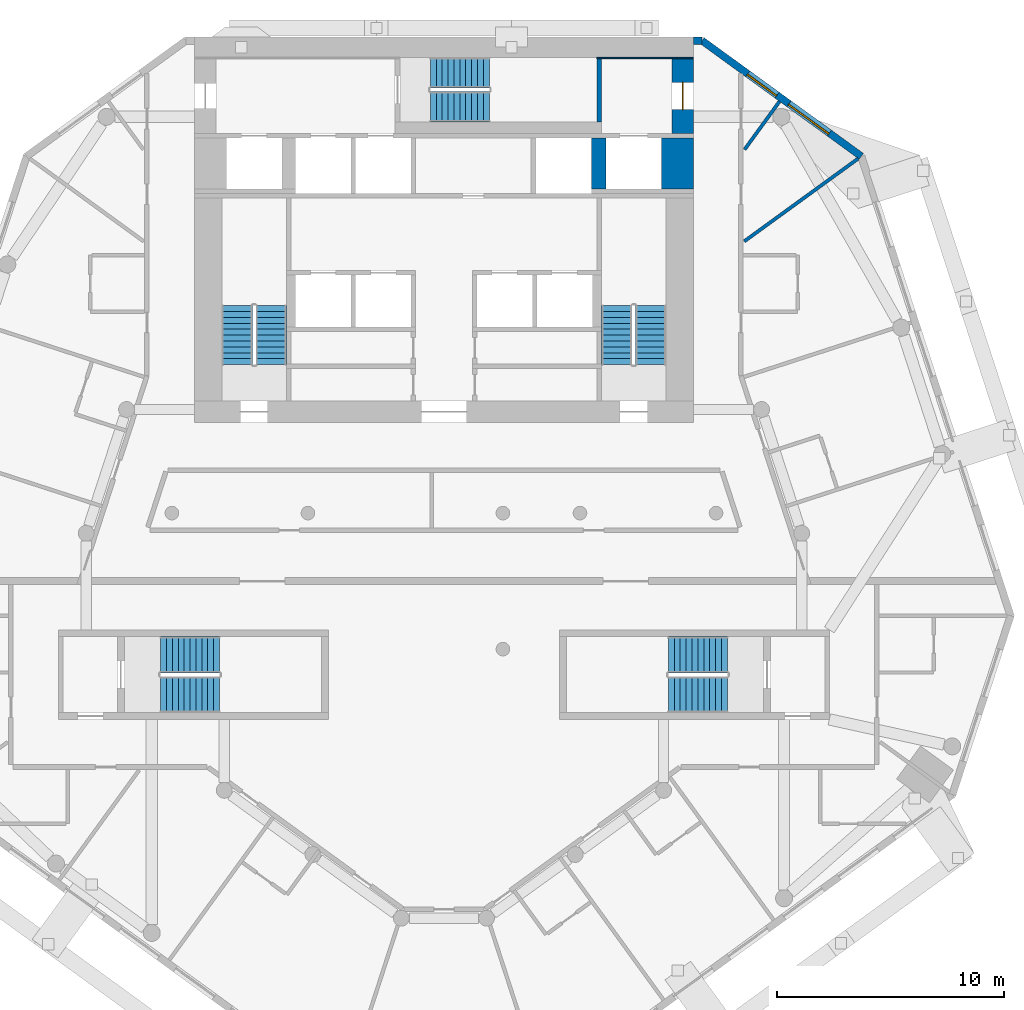
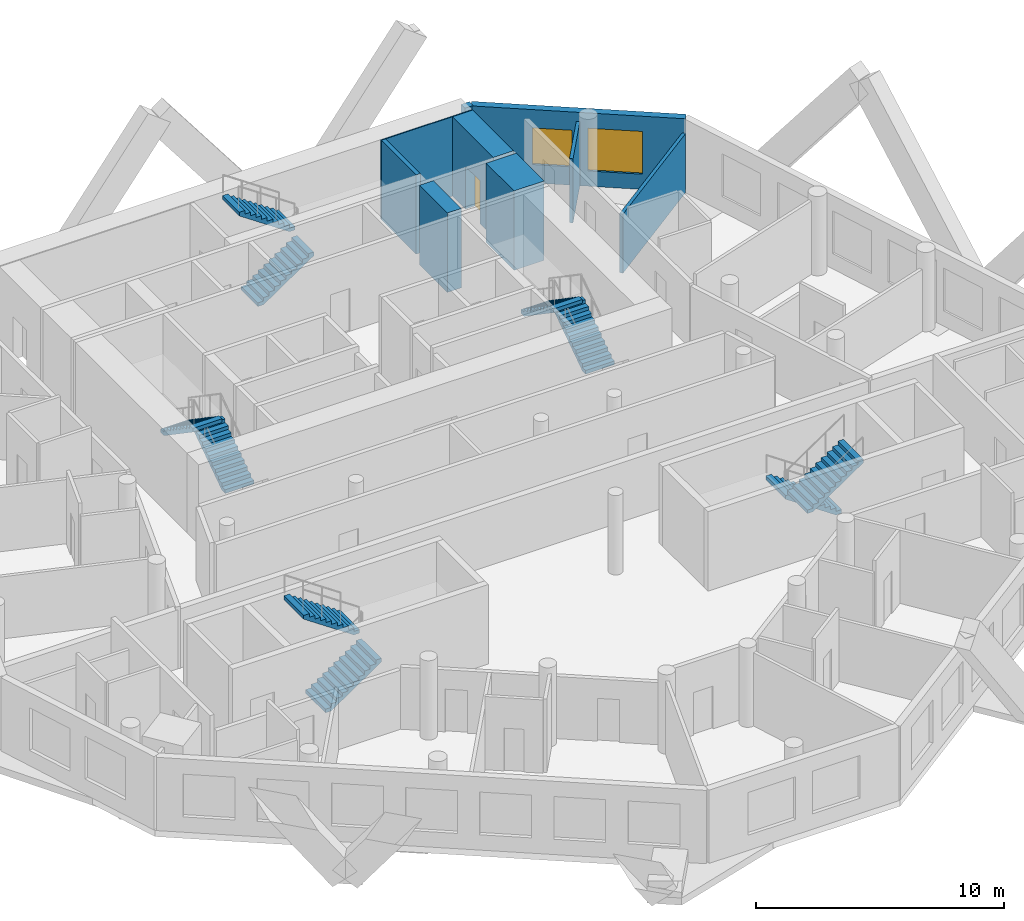
# One storey, part 8 of 10: 10 stair flights, 9 walls, 2 windows, 1 door, 3 openings, 5 elements without a shape of their own.
"""IFC4 building model written with IfcOpenShell, lengths in metres."""

from ifc_helpers import new_model, si_unit, direction, frame, frame_2d, origin, place, context, subcontext, project, spatial, polyline, rectangle, outline, extrude, material, layer, layer_set, type_object, element, fill, aggregate, save


model = new_model("IFC4")

# Units and contexts
model_context = context("Model", 3, precision=1e-05, world=origin(), true_north=direction((0.0, 1.0)))
body_context = subcontext(model_context, "Body", "Model", "MODEL_VIEW")
ifc_project = project(units=[si_unit("LENGTHUNIT", "METRE"), si_unit("AREAUNIT", "SQUARE_METRE"), si_unit("VOLUMEUNIT", "CUBIC_METRE"), si_unit("PLANEANGLEUNIT", "RADIAN"), si_unit("MASSUNIT", "GRAM", prefix="KILO")], contexts=[model_context])

# Site, building, storey
site_placement = place(None, origin())
site = spatial("IfcSite", under=ifc_project, at=site_placement, CompositionType="ELEMENT")
building_placement = place(site_placement, origin())
building = spatial("IfcBuilding", under=site, at=building_placement, Name="White Candle Pilgrim Tower", CompositionType="ELEMENT")
storey_placement = place(building_placement, frame((0.0, 0.0, 183.699951171875)))
storey = spatial("IfcBuildingStorey", under=building, at=storey_placement, Name="L42", CompositionType="ELEMENT", Elevation=183.699951171875)

# Wall
ifc_material_1 = material(Name="Concrete C60/75", Category="concrete")
ifc_layer_1 = layer(ifc_material_1, 1.39990234375)
ifc_layer_set_1 = layer_set([ifc_layer_1], Name="Core wall 1400 mm Concrete C60/75")
wall_type_1 = type_object("IfcWallType", Name="Core wall 1400 mm Concrete C60/75", PredefinedType="SHEAR", material=ifc_layer_set_1)
wall_1_placement = place(storey_placement, frame((80.300048828125, 81.300048828125, 0.0), z_axis=(0.0, 0.0, 1.0), x_axis=(0.0, 1.0, 0.0)))
element("IfcWall", 1, at=wall_1_placement, inside=storey, type_object=wall_type_1, Name="WL-L42-C45", PredefinedType="SHEAR", context=body_context, shape_type="SweptSolid", body=[
    extrude(rectangle(XDim=2.25, YDim=1.39990234375, at=frame_2d((1.125, 0.0))), origin(), (0.0, 0.0, 1.0), 3.900146484375),
])

# Wall, opening, door
ifc_layer_2 = layer(ifc_material_1, 0.949951171875)
ifc_layer_set_2 = layer_set([ifc_layer_2], Name="Core wall 950 mm Concrete C60/75")
wall_type_2 = type_object("IfcWallType", Name="Core wall 950 mm Concrete C60/75", PredefinedType="SHEAR", material=ifc_layer_set_2)
wall_2_placement = place(storey_placement, frame((80.52490234375, 83.75, 0.0), z_axis=(0.0, 0.0, 1.0), x_axis=(0.0, 1.0, 0.0)))
wall_2 = element("IfcWall", 2, at=wall_2_placement, inside=storey, type_object=wall_type_2, Name="WL-L42-C49", PredefinedType="SHEAR", context=body_context, shape_type="SweptSolid", body=[
    extrude(rectangle(XDim=3.300048828125, YDim=0.949951171875, at=frame_2d((1.64990234375, 0.0))), origin(), (0.0, 0.0, 1.0), 3.900146484375),
])
opening_1_placement = place(wall_2_placement, frame((1.050048828125, 0.0, 0.0)))
opening_1 = element("IfcOpeningElement", 3, at=opening_1_placement, cuts=wall_2, Name="Opening T13-010", PredefinedType="OPENING", context=body_context, shape_type="SweptSolid", body=[
    extrude(rectangle(XDim=1.199951171875, YDim=2.10009765625, at=frame_2d((0.60009765625, 1.050048828125))), frame((0.0, 0.48486328125, 0.0), z_axis=(0.0, -1.0, 0.0), x_axis=(1.0, 0.0, 0.0)), (0.0, 0.0, 1.0), 0.969970703125),
])
ifc_material_2 = material(Name="Steel door leaf", Category="steel")
door_type = type_object("IfcDoorType", Name="Fire door 1200 x 2100 EI 30", OperationType="NOTDEFINED", PredefinedType="DOOR", material=ifc_material_2)
door_placement = place(opening_1_placement, origin())
door = element("IfcDoor", 4, at=door_placement, inside=storey, type_object=door_type, Name="Door T13-010", OperationType="SINGLE_SWING_RIGHT", OverallHeight=2.10009765625, OverallWidth=1.199951171875, PredefinedType="DOOR", context=body_context, shape_type="SweptSolid", body=[
    extrude(rectangle(XDim=1.199951171875, YDim=2.10009765625, at=frame_2d((0.60009765625, 1.050048828125))), frame((0.0, 0.02490234375, 0.0), z_axis=(0.0, -1.0, 0.0), x_axis=(1.0, 0.0, 0.0)), (0.0, 0.0, 1.0), 0.050048828125),
])
fill(opening_1, door)

# Wall, openings, windows
ifc_material_3 = material(Name="Precast concrete C40/50", Category="concrete")
ifc_layer_3 = layer(ifc_material_3, 0.320068359375)
ifc_layer_set_3 = layer_set([ifc_layer_3], Name="Facade wall EW1 precast concrete C40/50 pier wall with timber-lined reveals")
wall_type_3 = type_object("IfcWallType", Name="Facade wall EW1 precast concrete C40/50 pier wall with timber-lined reveals", PredefinedType="SOLIDWALL", material=ifc_layer_set_3)
wall_3_placement = place(storey_placement, frame((88.408203125, 82.7373046875, 0.0), z_axis=(0.0, 0.0, 1.0), x_axis=(-0.809009624381, 0.587795396085, 0.0)))
wall_3 = element("IfcWall", 5, at=wall_3_placement, inside=storey, type_object=wall_type_3, Name="Facade wall L42 NE chamfer", PredefinedType="SOLIDWALL", context=body_context, shape_type="SweptSolid", body=[
    extrude(rectangle(XDim=8.68115234375, YDim=0.320068359375, at=frame_2d((4.340576171875, 0.0))), origin(), (0.0, 0.0, 1.0), 3.60009765625),
])
opening_2_placement = place(wall_3_placement, frame((1.740478515625, 0.0, 0.75)))
opening_2 = element("IfcOpeningElement", 6, at=opening_2_placement, cuts=wall_3, Name="Opening W4", PredefinedType="OPENING", context=body_context, shape_type="SweptSolid", body=[
    extrude(rectangle(XDim=2.199951171875, YDim=2.10009765625, at=frame_2d((1.10009765625, 1.050048828125))), frame((0.0, 0.169921875, 0.0), z_axis=(0.0, -1.0, 0.0), x_axis=(1.0, 0.0, 0.0)), (0.0, 0.0, 1.0), 0.340087890625),
])
opening_3_placement = place(wall_3_placement, frame((4.590576171875, 0.0, 0.89990234375)))
opening_3 = element("IfcOpeningElement", 7, at=opening_3_placement, cuts=wall_3, Name="Opening W2", PredefinedType="OPENING", context=body_context, shape_type="SweptSolid", body=[
    extrude(rectangle(XDim=1.60009765625, YDim=1.800048828125, at=frame_2d((0.800048828125, 0.89990234375))), frame((0.0, 0.169921875, 0.0), z_axis=(0.0, -1.0, 0.0), x_axis=(1.0, 0.0, 0.0)), (0.0, 0.0, 1.0), 0.340087890625),
])
ifc_material_4 = material(Name="Timber frame with triple glazing", Category="wood")
window_type_1 = type_object("IfcWindowType", Name="Window W2 1600x1800 timber frame triple glazing", PartitioningType="SINGLE_PANEL", PredefinedType="WINDOW", material=ifc_material_4)
window_1_placement = place(opening_3_placement, origin())
window_1 = element("IfcWindow", 8, at=window_1_placement, inside=storey, type_object=window_type_1, Name="Window W2 L42 NE chamfer 2", OverallHeight=1.800048828125, OverallWidth=1.60009765625, PartitioningType="SINGLE_PANEL", PredefinedType="WINDOW", context=body_context, shape_type="SweptSolid", body=[
    extrude(rectangle(XDim=1.60009765625, YDim=1.800048828125, at=frame_2d((0.800048828125, 0.89990234375))), frame((0.0, 0.070068359375, 0.0), z_axis=(0.0, -1.0, 0.0), x_axis=(1.0, 0.0, 0.0)), (0.0, 0.0, 1.0), 0.06005859375),
])
fill(opening_3, window_1)
window_type_2 = type_object("IfcWindowType", Name="Window W4 2200x2100 timber frame triple glazing", PartitioningType="SINGLE_PANEL", PredefinedType="WINDOW", material=ifc_material_4)
window_2_placement = place(opening_2_placement, origin())
window_2 = element("IfcWindow", 9, at=window_2_placement, inside=storey, type_object=window_type_2, Name="Window W4 L42 NE chamfer 1", OverallHeight=2.10009765625, OverallWidth=2.199951171875, PartitioningType="SINGLE_PANEL", PredefinedType="WINDOW", context=body_context, shape_type="SweptSolid", body=[
    extrude(rectangle(XDim=2.199951171875, YDim=2.10009765625, at=frame_2d((1.10009765625, 1.050048828125))), frame((0.0, 0.070068359375, 0.0), z_axis=(0.0, -1.0, 0.0), x_axis=(1.0, 0.0, 0.0)), (0.0, 0.0, 1.0), 0.06005859375),
])
fill(opening_2, window_2)

# Walls
wall_4_placement = place(storey_placement, frame((81.385009765625, 87.840087890625, 0.0), z_axis=(0.0, 0.0, 1.0), x_axis=(-1.0, 0.0, 0.0)))
element("IfcWall", 10, at=wall_4_placement, inside=storey, type_object=wall_type_3, Name="Facade wall L42 N", PredefinedType="SOLIDWALL", context=body_context, shape_type="SweptSolid", body=[
    extrude(rectangle(XDim=0.385009765625, YDim=0.320068359375, at=frame_2d((0.1923828125, 0.0))), origin(), (0.0, 0.0, 1.0), 3.60009765625),
])
ifc_material_5 = material(Name="Gypsum board on steel studs", Category="steel")
ifc_layer_4 = layer(ifc_material_5, 0.14990234375)
ifc_layer_set_4 = layer_set([ifc_layer_4], Name="Partition 150 mm EI 60")
wall_type_4 = type_object("IfcWallType", Name="Partition 150 mm EI 60", PredefinedType="PARTITIONING", material=ifc_layer_set_4)
wall_5_placement = place(storey_placement, frame((88.272216796875, 82.638427734375, 0.0), z_axis=(0.0, 0.0, 1.0), x_axis=(-0.809038352218, -0.58775585462, 0.0)))
element("IfcWall", 11, at=wall_5_placement, inside=storey, type_object=wall_type_4, Name="WL-L42-P024", PredefinedType="PARTITIONING", context=body_context, shape_type="SweptSolid", body=[
    extrude(rectangle(XDim=6.21484375, YDim=0.14990234375, at=frame_2d((3.107421875, 0.0))), origin(), (0.0, 0.0, 1.0), 2.900146484375),
])
wall_6_placement = place(storey_placement, frame((84.802490234375, 85.1591796875, 0.0), z_axis=(0.0, 0.0, 1.0), x_axis=(-0.587778694089, -0.809021759148, 0.0)))
element("IfcWall", 12, at=wall_6_placement, inside=storey, type_object=wall_type_4, Name="WL-L42-P058", PredefinedType="PARTITIONING", context=body_context, shape_type="SweptSolid", body=[
    extrude(rectangle(XDim=2.623046875, YDim=0.14990234375, at=frame_2d((1.3115234375, 0.0))), origin(), (0.0, 0.0, 1.0), 3.150146484375),
])
ifc_layer_5 = layer(ifc_material_1, 0.64990234375)
ifc_layer_set_5 = layer_set([ifc_layer_5], Name="Shaft wall 650 mm Concrete C60/75")
wall_type_5 = type_object("IfcWallType", Name="Shaft wall 650 mm Concrete C60/75", PredefinedType="SHEAR", material=ifc_layer_set_5)
wall_7_placement = place(storey_placement, frame((76.824951171875, 81.300048828125, 0.0), z_axis=(0.0, 0.0, 1.0), x_axis=(0.0, 1.0, 0.0)))
element("IfcWall", 13, at=wall_7_placement, inside=storey, type_object=wall_type_5, Name="WL-L42-C44", PredefinedType="SHEAR", context=body_context, shape_type="SweptSolid", body=[
    extrude(rectangle(XDim=2.25, YDim=0.64990234375, at=frame_2d((1.125, 0.0))), origin(), (0.0, 0.0, 1.0), 3.900146484375),
])
ifc_layer_6 = layer(ifc_material_1, 0.199951171875)
ifc_layer_set_6 = layer_set([ifc_layer_6], Name="Stair shaft wall 200 mm Concrete C60/75")
wall_type_6 = type_object("IfcWallType", Name="Stair shaft wall 200 mm Concrete C60/75", PredefinedType="SHEAR", material=ifc_layer_set_6)
wall_8_placement = place(storey_placement, frame((76.85009765625, 84.25, 0.0), z_axis=(0.0, 0.0, 1.0), x_axis=(0.0, 1.0, 0.0)))
element("IfcWall", 14, at=wall_8_placement, inside=storey, type_object=wall_type_6, Name="WL-L42-C51", PredefinedType="SHEAR", context=body_context, shape_type="SweptSolid", body=[
    extrude(rectangle(XDim=2.800048828125, YDim=0.199951171875, at=frame_2d((1.39990234375, 0.0))), origin(), (0.0, 0.0, 1.0), 3.900146484375),
])
ifc_layer_7 = layer(ifc_material_1, 0.050048828125)
ifc_layer_set_7 = layer_set([ifc_layer_7], Name="Stair shaft wall 50 mm Concrete C60/75")
wall_type_7 = type_object("IfcWallType", Name="Stair shaft wall 50 mm Concrete C60/75", PredefinedType="SHEAR", material=ifc_layer_set_7)
wall_9_placement = place(storey_placement, frame((76.75, 87.074951171875, 0.0), z_axis=(0.0, 0.0, 1.0), x_axis=(1.0, 0.0, 0.0)))
element("IfcWall", 15, at=wall_9_placement, inside=storey, type_object=wall_type_7, Name="WL-L42-C53", PredefinedType="SHEAR", context=body_context, shape_type="SweptSolid", body=[
    extrude(rectangle(XDim=4.25, YDim=0.050048828125, at=frame_2d((2.125, 0.0))), origin(), (0.0, 0.0, 1.0), 3.900146484375),
])

# Stair, stair flights
ifc_material_6 = material(Name="Concrete C40/50", Category="concrete")
stair_type_1 = type_object("IfcStairType", Name="Exit stair 1 flight width 1350 mm", PredefinedType="HALF_TURN_STAIR", material=ifc_material_6)
stair_1_placement = place(storey_placement, origin())
stair_1 = element("IfcStair", 16, at=stair_1_placement, inside=storey, type_object=stair_type_1, Name="L42 stair 1", PredefinedType="NOTDEFINED")
ifc_layer_8 = layer(ifc_material_6, 0.14990234375)
ifc_layer_set_8 = layer_set([ifc_layer_8], Name="Stair flight Concrete C40/50")
stair_flight_type = type_object("IfcStairFlightType", Name="Stair flight Concrete C40/50", PredefinedType="STRAIGHT", material=ifc_layer_set_8)
stair_flight_1_placement = place(storey_placement, frame((62.375, 73.550048828125, 0.0), z_axis=(0.0, 0.0, 1.0), x_axis=(0.0, 1.0, 0.0)))
stair_flight_1 = element("IfcStairFlight", 17, at=stair_flight_1_placement, type_object=stair_flight_type, Name="ST1 flight 1", NumberOfRisers=11, NumberOfTreads=10, PredefinedType="NOTDEFINED", RiserHeight=0.177272727, TreadLength=0.26, context=body_context, shape_type="SweptSolid", body=[
    extrude(outline(polyline([(0.0, 0.0), (0.0, 0.17724609375), (0.260009765625, 0.17724609375), (0.260009765625, 0.3544921875), (0.52001953125, 0.3544921875), (0.52001953125, 0.53173828125), (0.780029296875, 0.53173828125), (0.780029296875, 0.708984375), (1.0400390625, 0.708984375), (1.0400390625, 0.886474609375), (1.300048828125, 0.886474609375), (1.300048828125, 1.063720703125), (1.56005859375, 1.063720703125), (1.56005859375, 1.240966796875), (1.820068359375, 1.240966796875), (1.820068359375, 1.418212890625), (2.080078125, 1.418212890625), (2.080078125, 1.595458984375), (2.340087890625, 1.595458984375), (2.340087890625, 1.772705078125), (2.60009765625, 1.772705078125), (2.60009765625, 1.949951171875), (2.60009765625, 1.59130859375), (0.26611328125, 0.0), (0.0, 0.0)])), frame((0.0, 0.675048828125, 0.0), z_axis=(0.0, -1.0, 0.0), x_axis=(1.0, 0.0, 0.0)), (0.0, 0.0, 1.0), 1.35009765625),
])
stair_flight_2_placement = place(storey_placement, frame((60.875, 76.14990234375, 1.949951171875), z_axis=(0.0, 0.0, 1.0), x_axis=(0.0, -1.0, 0.0)))
stair_flight_2 = element("IfcStairFlight", 18, at=stair_flight_2_placement, type_object=stair_flight_type, Name="ST1 flight 2", NumberOfRisers=11, NumberOfTreads=10, PredefinedType="NOTDEFINED", RiserHeight=0.177272727, TreadLength=0.26, context=body_context, shape_type="SweptSolid", body=[
    extrude(outline(polyline([(0.0, 0.0), (0.0, 0.17724609375), (0.260009765625, 0.17724609375), (0.260009765625, 0.3544921875), (0.52001953125, 0.3544921875), (0.52001953125, 0.53173828125), (0.780029296875, 0.53173828125), (0.780029296875, 0.708984375), (1.0400390625, 0.708984375), (1.0400390625, 0.886474609375), (1.300048828125, 0.886474609375), (1.300048828125, 1.063720703125), (1.56005859375, 1.063720703125), (1.56005859375, 1.240966796875), (1.820068359375, 1.240966796875), (1.820068359375, 1.418212890625), (2.080078125, 1.418212890625), (2.080078125, 1.595458984375), (2.340087890625, 1.595458984375), (2.340087890625, 1.772705078125), (2.60009765625, 1.772705078125), (2.60009765625, 1.949951171875), (2.60009765625, 1.59130859375), (0.26611328125, 0.0), (0.0, 0.0)])), frame((0.0, 0.675048828125, 0.0), z_axis=(0.0, -1.0, 0.0), x_axis=(1.0, 0.0, 0.0)), (0.0, 0.0, 1.0), 1.35009765625),
])
aggregate(stair_1, [stair_flight_1, stair_flight_2])

stair_type_2 = type_object("IfcStairType", Name="Exit stair 2 flight width 1350 mm", PredefinedType="HALF_TURN_STAIR", material=ifc_material_6)
stair_2_placement = place(storey_placement, origin())
stair_2 = element("IfcStair", 19, at=stair_2_placement, inside=storey, type_object=stair_type_2, Name="L42 stair 2", PredefinedType="NOTDEFINED")
stair_flight_3_placement = place(storey_placement, frame((79.125, 73.550048828125, 0.0), z_axis=(0.0, 0.0, 1.0), x_axis=(0.0, 1.0, 0.0)))
stair_flight_3 = element("IfcStairFlight", 20, at=stair_flight_3_placement, type_object=stair_flight_type, Name="ST2 flight 1", NumberOfRisers=11, NumberOfTreads=10, PredefinedType="NOTDEFINED", RiserHeight=0.177272727, TreadLength=0.26, context=body_context, shape_type="SweptSolid", body=[
    extrude(outline(polyline([(0.0, 0.0), (0.0, 0.17724609375), (0.260009765625, 0.17724609375), (0.260009765625, 0.3544921875), (0.52001953125, 0.3544921875), (0.52001953125, 0.53173828125), (0.780029296875, 0.53173828125), (0.780029296875, 0.708984375), (1.0400390625, 0.708984375), (1.0400390625, 0.886474609375), (1.300048828125, 0.886474609375), (1.300048828125, 1.063720703125), (1.56005859375, 1.063720703125), (1.56005859375, 1.240966796875), (1.820068359375, 1.240966796875), (1.820068359375, 1.418212890625), (2.080078125, 1.418212890625), (2.080078125, 1.595458984375), (2.340087890625, 1.595458984375), (2.340087890625, 1.772705078125), (2.60009765625, 1.772705078125), (2.60009765625, 1.949951171875), (2.60009765625, 1.59130859375), (0.26611328125, 0.0), (0.0, 0.0)])), frame((0.0, 0.675048828125, 0.0), z_axis=(0.0, -1.0, 0.0), x_axis=(1.0, 0.0, 0.0)), (0.0, 0.0, 1.0), 1.35009765625),
])
stair_flight_4_placement = place(storey_placement, frame((77.625, 76.14990234375, 1.949951171875), z_axis=(0.0, 0.0, 1.0), x_axis=(0.0, -1.0, 0.0)))
stair_flight_4 = element("IfcStairFlight", 21, at=stair_flight_4_placement, type_object=stair_flight_type, Name="ST2 flight 2", NumberOfRisers=11, NumberOfTreads=10, PredefinedType="NOTDEFINED", RiserHeight=0.177272727, TreadLength=0.26, context=body_context, shape_type="SweptSolid", body=[
    extrude(outline(polyline([(0.0, 0.0), (0.0, 0.17724609375), (0.260009765625, 0.17724609375), (0.260009765625, 0.3544921875), (0.52001953125, 0.3544921875), (0.52001953125, 0.53173828125), (0.780029296875, 0.53173828125), (0.780029296875, 0.708984375), (1.0400390625, 0.708984375), (1.0400390625, 0.886474609375), (1.300048828125, 0.886474609375), (1.300048828125, 1.063720703125), (1.56005859375, 1.063720703125), (1.56005859375, 1.240966796875), (1.820068359375, 1.240966796875), (1.820068359375, 1.418212890625), (2.080078125, 1.418212890625), (2.080078125, 1.595458984375), (2.340087890625, 1.595458984375), (2.340087890625, 1.772705078125), (2.60009765625, 1.772705078125), (2.60009765625, 1.949951171875), (2.60009765625, 1.59130859375), (0.26611328125, 0.0), (0.0, 0.0)])), frame((0.0, 0.675048828125, 0.0), z_axis=(0.0, -1.0, 0.0), x_axis=(1.0, 0.0, 0.0)), (0.0, 0.0, 1.0), 1.35009765625),
])
aggregate(stair_2, [stair_flight_3, stair_flight_4])

stair_type_3 = type_object("IfcStairType", Name="Exit stair 3 flight width 1350 mm", PredefinedType="HALF_TURN_STAIR", material=ifc_material_6)
stair_3_placement = place(storey_placement, origin())
stair_3 = element("IfcStair", 22, at=stair_3_placement, inside=storey, type_object=stair_type_3, Name="L42 stair 3", PredefinedType="NOTDEFINED")
stair_flight_5_placement = place(storey_placement, frame((69.39990234375, 84.925048828125, 0.0), z_axis=(0.0, 0.0, 1.0), x_axis=(1.0, 0.0, 0.0)))
stair_flight_5 = element("IfcStairFlight", 23, at=stair_flight_5_placement, type_object=stair_flight_type, Name="ST3 flight 1", NumberOfRisers=11, NumberOfTreads=10, PredefinedType="NOTDEFINED", RiserHeight=0.177272727, TreadLength=0.26, context=body_context, shape_type="SweptSolid", body=[
    extrude(outline(polyline([(0.0, 0.0), (0.0, 0.17724609375), (0.260009765625, 0.17724609375), (0.260009765625, 0.3544921875), (0.52001953125, 0.3544921875), (0.52001953125, 0.53173828125), (0.780029296875, 0.53173828125), (0.780029296875, 0.708984375), (1.0400390625, 0.708984375), (1.0400390625, 0.886474609375), (1.300048828125, 0.886474609375), (1.300048828125, 1.063720703125), (1.56005859375, 1.063720703125), (1.56005859375, 1.240966796875), (1.820068359375, 1.240966796875), (1.820068359375, 1.418212890625), (2.080078125, 1.418212890625), (2.080078125, 1.595458984375), (2.340087890625, 1.595458984375), (2.340087890625, 1.772705078125), (2.60009765625, 1.772705078125), (2.60009765625, 1.949951171875), (2.60009765625, 1.59130859375), (0.26611328125, 0.0), (0.0, 0.0)])), frame((0.0, 0.675048828125, 0.0), z_axis=(0.0, -1.0, 0.0), x_axis=(1.0, 0.0, 0.0)), (0.0, 0.0, 1.0), 1.35009765625),
])
stair_flight_6_placement = place(storey_placement, frame((72.0, 86.425048828125, 1.949951171875), z_axis=(0.0, 0.0, 1.0), x_axis=(-1.0, 0.0, 0.0)))
stair_flight_6 = element("IfcStairFlight", 24, at=stair_flight_6_placement, type_object=stair_flight_type, Name="ST3 flight 2", NumberOfRisers=11, NumberOfTreads=10, PredefinedType="NOTDEFINED", RiserHeight=0.177272727, TreadLength=0.26, context=body_context, shape_type="SweptSolid", body=[
    extrude(outline(polyline([(0.0, 0.0), (0.0, 0.17724609375), (0.260009765625, 0.17724609375), (0.260009765625, 0.3544921875), (0.52001953125, 0.3544921875), (0.52001953125, 0.53173828125), (0.780029296875, 0.53173828125), (0.780029296875, 0.708984375), (1.0400390625, 0.708984375), (1.0400390625, 0.886474609375), (1.300048828125, 0.886474609375), (1.300048828125, 1.063720703125), (1.56005859375, 1.063720703125), (1.56005859375, 1.240966796875), (1.820068359375, 1.240966796875), (1.820068359375, 1.418212890625), (2.080078125, 1.418212890625), (2.080078125, 1.595458984375), (2.340087890625, 1.595458984375), (2.340087890625, 1.772705078125), (2.60009765625, 1.772705078125), (2.60009765625, 1.949951171875), (2.60009765625, 1.59130859375), (0.26611328125, 0.0), (0.0, 0.0)])), frame((0.0, 0.675048828125, 0.0), z_axis=(0.0, -1.0, 0.0), x_axis=(1.0, 0.0, 0.0)), (0.0, 0.0, 1.0), 1.35009765625),
])
aggregate(stair_3, [stair_flight_5, stair_flight_6])

stair_type_4 = type_object("IfcStairType", Name="Exit stair 4 flight width 1600 mm", PredefinedType="HALF_TURN_STAIR", material=ifc_material_6)
stair_4_placement = place(storey_placement, origin())
stair_4 = element("IfcStair", 25, at=stair_4_placement, inside=storey, type_object=stair_type_4, Name="L42 stair 4", PredefinedType="NOTDEFINED")
stair_flight_7_placement = place(storey_placement, frame((82.5, 60.75, 0.0), z_axis=(0.0, 0.0, 1.0), x_axis=(-1.0, 0.0, 0.0)))
stair_flight_7 = element("IfcStairFlight", 26, at=stair_flight_7_placement, type_object=stair_flight_type, Name="ST4 flight 1", NumberOfRisers=11, NumberOfTreads=10, PredefinedType="NOTDEFINED", RiserHeight=0.177272727, TreadLength=0.26, context=body_context, shape_type="SweptSolid", body=[
    extrude(outline(polyline([(0.0, 0.0), (0.0, 0.17724609375), (0.260009765625, 0.17724609375), (0.260009765625, 0.3544921875), (0.52001953125, 0.3544921875), (0.52001953125, 0.53173828125), (0.780029296875, 0.53173828125), (0.780029296875, 0.708984375), (1.0400390625, 0.708984375), (1.0400390625, 0.886474609375), (1.300048828125, 0.886474609375), (1.300048828125, 1.063720703125), (1.56005859375, 1.063720703125), (1.56005859375, 1.240966796875), (1.820068359375, 1.240966796875), (1.820068359375, 1.418212890625), (2.080078125, 1.418212890625), (2.080078125, 1.595458984375), (2.340087890625, 1.595458984375), (2.340087890625, 1.772705078125), (2.60009765625, 1.772705078125), (2.60009765625, 1.949951171875), (2.60009765625, 1.59130859375), (0.26611328125, 0.0), (0.0, 0.0)])), frame((0.0, 0.800048828125, 0.0), z_axis=(0.0, -1.0, 0.0), x_axis=(1.0, 0.0, 0.0)), (0.0, 0.0, 1.0), 1.60009765625),
])
stair_flight_8_placement = place(storey_placement, frame((79.89990234375, 59.0, 1.949951171875), z_axis=(0.0, 0.0, 1.0), x_axis=(1.0, 0.0, 0.0)))
stair_flight_8 = element("IfcStairFlight", 27, at=stair_flight_8_placement, type_object=stair_flight_type, Name="ST4 flight 2", NumberOfRisers=11, NumberOfTreads=10, PredefinedType="NOTDEFINED", RiserHeight=0.177272727, TreadLength=0.26, context=body_context, shape_type="SweptSolid", body=[
    extrude(outline(polyline([(0.0, 0.0), (0.0, 0.17724609375), (0.260009765625, 0.17724609375), (0.260009765625, 0.3544921875), (0.52001953125, 0.3544921875), (0.52001953125, 0.53173828125), (0.780029296875, 0.53173828125), (0.780029296875, 0.708984375), (1.0400390625, 0.708984375), (1.0400390625, 0.886474609375), (1.300048828125, 0.886474609375), (1.300048828125, 1.063720703125), (1.56005859375, 1.063720703125), (1.56005859375, 1.240966796875), (1.820068359375, 1.240966796875), (1.820068359375, 1.418212890625), (2.080078125, 1.418212890625), (2.080078125, 1.595458984375), (2.340087890625, 1.595458984375), (2.340087890625, 1.772705078125), (2.60009765625, 1.772705078125), (2.60009765625, 1.949951171875), (2.60009765625, 1.59130859375), (0.26611328125, 0.0), (0.0, 0.0)])), frame((0.0, 0.800048828125, 0.0), z_axis=(0.0, -1.0, 0.0), x_axis=(1.0, 0.0, 0.0)), (0.0, 0.0, 1.0), 1.60009765625),
])
aggregate(stair_4, [stair_flight_7, stair_flight_8])

stair_type_5 = type_object("IfcStairType", Name="Exit stair 5 flight width 1600 mm", PredefinedType="HALF_TURN_STAIR", material=ifc_material_6)
stair_5_placement = place(storey_placement, origin())
stair_5 = element("IfcStair", 28, at=stair_5_placement, inside=storey, type_object=stair_type_5, Name="L42 stair 5", PredefinedType="NOTDEFINED")
stair_flight_9_placement = place(storey_placement, frame((57.5, 59.0, 0.0), z_axis=(0.0, 0.0, 1.0), x_axis=(1.0, 0.0, 0.0)))
stair_flight_9 = element("IfcStairFlight", 29, at=stair_flight_9_placement, type_object=stair_flight_type, Name="ST5 flight 1", NumberOfRisers=11, NumberOfTreads=10, PredefinedType="NOTDEFINED", RiserHeight=0.177272727, TreadLength=0.26, context=body_context, shape_type="SweptSolid", body=[
    extrude(outline(polyline([(0.0, 0.0), (0.0, 0.17724609375), (0.260009765625, 0.17724609375), (0.260009765625, 0.3544921875), (0.52001953125, 0.3544921875), (0.52001953125, 0.53173828125), (0.780029296875, 0.53173828125), (0.780029296875, 0.708984375), (1.0400390625, 0.708984375), (1.0400390625, 0.886474609375), (1.300048828125, 0.886474609375), (1.300048828125, 1.063720703125), (1.56005859375, 1.063720703125), (1.56005859375, 1.240966796875), (1.820068359375, 1.240966796875), (1.820068359375, 1.418212890625), (2.080078125, 1.418212890625), (2.080078125, 1.595458984375), (2.340087890625, 1.595458984375), (2.340087890625, 1.772705078125), (2.60009765625, 1.772705078125), (2.60009765625, 1.949951171875), (2.60009765625, 1.59130859375), (0.26611328125, 0.0), (0.0, 0.0)])), frame((0.0, 0.800048828125, 0.0), z_axis=(0.0, -1.0, 0.0), x_axis=(1.0, 0.0, 0.0)), (0.0, 0.0, 1.0), 1.60009765625),
])
stair_flight_10_placement = place(storey_placement, frame((60.10009765625, 60.75, 1.949951171875), z_axis=(0.0, 0.0, 1.0), x_axis=(-1.0, 0.0, 0.0)))
stair_flight_10 = element("IfcStairFlight", 30, at=stair_flight_10_placement, type_object=stair_flight_type, Name="ST5 flight 2", NumberOfRisers=11, NumberOfTreads=10, PredefinedType="NOTDEFINED", RiserHeight=0.177272727, TreadLength=0.26, context=body_context, shape_type="SweptSolid", body=[
    extrude(outline(polyline([(0.0, 0.0), (0.0, 0.17724609375), (0.260009765625, 0.17724609375), (0.260009765625, 0.3544921875), (0.52001953125, 0.3544921875), (0.52001953125, 0.53173828125), (0.780029296875, 0.53173828125), (0.780029296875, 0.708984375), (1.0400390625, 0.708984375), (1.0400390625, 0.886474609375), (1.300048828125, 0.886474609375), (1.300048828125, 1.063720703125), (1.56005859375, 1.063720703125), (1.56005859375, 1.240966796875), (1.820068359375, 1.240966796875), (1.820068359375, 1.418212890625), (2.080078125, 1.418212890625), (2.080078125, 1.595458984375), (2.340087890625, 1.595458984375), (2.340087890625, 1.772705078125), (2.60009765625, 1.772705078125), (2.60009765625, 1.949951171875), (2.60009765625, 1.59130859375), (0.26611328125, 0.0), (0.0, 0.0)])), frame((0.0, 0.800048828125, 0.0), z_axis=(0.0, -1.0, 0.0), x_axis=(1.0, 0.0, 0.0)), (0.0, 0.0, 1.0), 1.60009765625),
])
aggregate(stair_5, [stair_flight_9, stair_flight_10])

save(model, "model.ifc")
